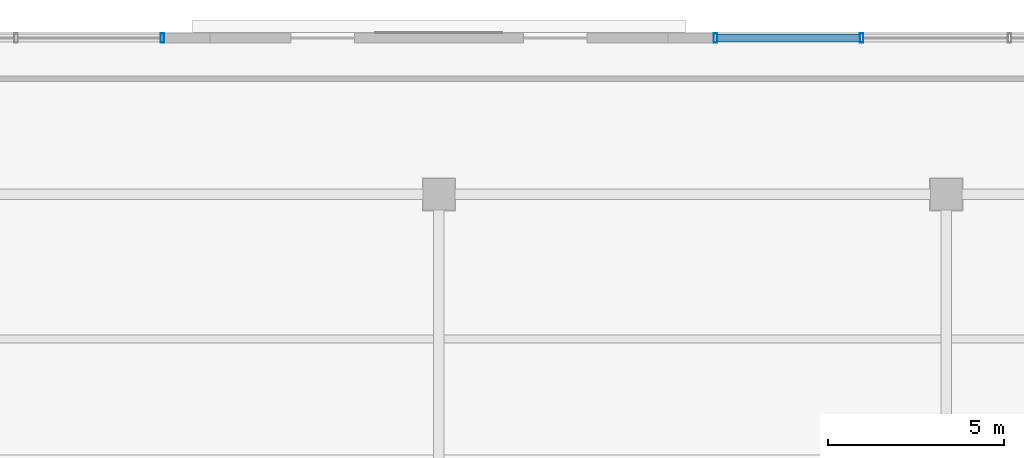
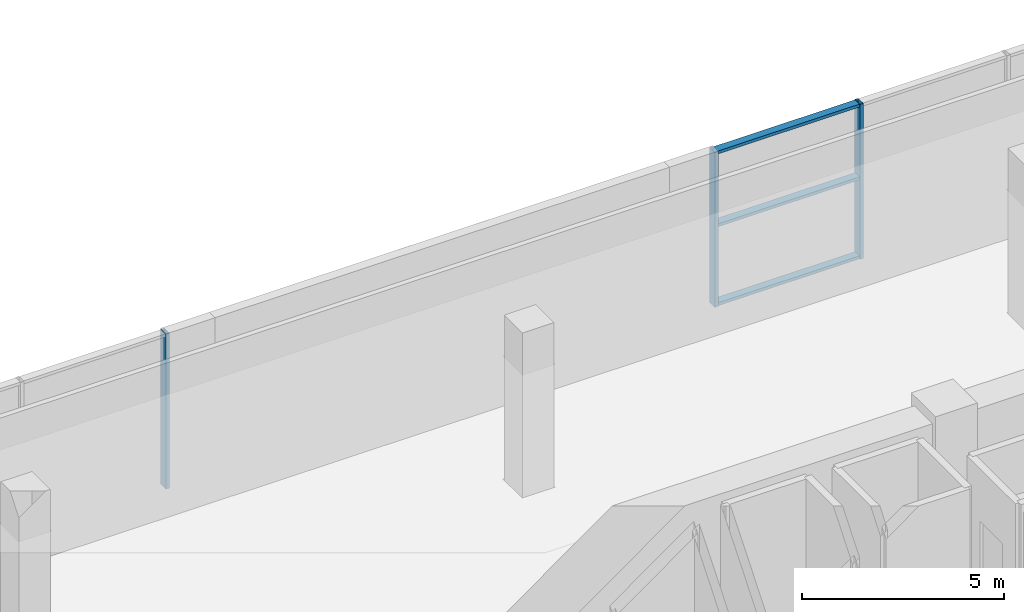
# One storey, part 10 of 27: 6 members, 2 elements without a shape of their own.
"""IFC4 building model written with IfcOpenShell, lengths in metres."""

from ifc_helpers import new_model, si_unit, direction, frame, origin, origin_2d, place, context, subcontext, project, spatial, hollow_rectangle, extrude, source, transform, mapped, material, layer, layer_set, material_profile, profile_set, type_object, element, aggregate, save


model = new_model("IFC4")

# Units and contexts
model_context = context("Model", 3, precision=1e-05, world=origin(), true_north=direction((0.0, 1.0)))
body_context = subcontext(model_context, "Body", "Model", "MODEL_VIEW")
ifc_project = project(units=[si_unit("LENGTHUNIT", "METRE"), si_unit("AREAUNIT", "SQUARE_METRE"), si_unit("VOLUMEUNIT", "CUBIC_METRE"), si_unit("PLANEANGLEUNIT", "RADIAN"), si_unit("MASSUNIT", "GRAM", prefix="KILO")], contexts=[model_context])

# Site, building, storey
site_placement = place(None, origin())
site = spatial("IfcSite", under=ifc_project, at=site_placement, CompositionType="ELEMENT")
building_placement = place(site_placement, origin())
building = spatial("IfcBuilding", under=site, at=building_placement, Name="Zarnakvel Exchange Tower", CompositionType="ELEMENT")
storey_placement = place(building_placement, origin())
storey = spatial("IfcBuildingStorey", under=building, at=storey_placement, Name="L00", CompositionType="ELEMENT", Elevation=0.0)

# Curtain wall, member
ifc_material = material(Name="Architectural Bronze Anodised Aluminium", Category="aluminium")
ifc_layer = layer(ifc_material, 0.260009765625)
ifc_layer_set = layer_set([ifc_layer], Name="Architectural Bronze Anodised Aluminium")
curtain_wall_type = type_object("IfcCurtainWallType", Name="CW-01", PredefinedType="NOTDEFINED", material=ifc_layer_set)
curtain_wall_1_placement = place(storey_placement, origin())
curtain_wall_1 = element("IfcCurtainWall", 1, at=curtain_wall_1_placement, inside=storey, type_object=curtain_wall_type, Name="L00 Curtain Wall CW-L00-N1 (CW-01)", PredefinedType="NOTDEFINED")
ifc_material_profile_1 = material_profile(ifc_material, hollow_rectangle(XDim=0.260009765625, YDim=0.10009765625, WallThickness=0.006103515625, at=origin_2d()))
ifc_profile_set_1 = profile_set([ifc_material_profile_1], Name="Architectural Bronze Anodised Aluminium")
member_type_1 = type_object("IfcMemberType", Name="CWM-01", PredefinedType="MULLION", material=ifc_profile_set_1)
shared_shape_1 = source(origin(), body_context, "Body", "SweptSolid", [
    extrude(hollow_rectangle(XDim=0.260009765625, YDim=0.10009765625, WallThickness=0.006103515625, at=origin_2d()), origin(), (0.0, 0.0, 1.0), 4.679931640625),
])
member_1_placement = place(storey_placement, frame((-7.85009765625, 26.0400390625, 0.0), z_axis=(0.0, 0.0, 1.0), x_axis=(0.0, 1.0, 0.0)))
member_1 = element("IfcMember", 2, at=member_1_placement, type_object=member_type_1, Name="CW-01 mullion 4", PredefinedType="MULLION", context=body_context, shape_type="MappedRepresentation", body=[
    mapped(shared_shape_1, transform((0.0, 0.0, 0.0), x_axis=(1.0, 0.0, 0.0), y_axis=(0.0, 1.0, 0.0), z_axis=(0.0, 0.0, 1.0), scale=1.0)),
])
aggregate(curtain_wall_1, [member_1])

# Curtain wall, members
curtain_wall_2_placement = place(storey_placement, origin())
curtain_wall_2 = element("IfcCurtainWall", 3, at=curtain_wall_2_placement, inside=storey, type_object=curtain_wall_type, Name="L00 Curtain Wall CW-L00-N2 (CW-01)", PredefinedType="NOTDEFINED")
member_2_placement = place(storey_placement, frame((7.85009765625, 26.0400390625, 0.0), z_axis=(0.0, 0.0, 1.0), x_axis=(0.0, 1.0, 0.0)))
member_2 = element("IfcMember", 4, at=member_2_placement, type_object=member_type_1, Name="CW-01 mullion 1", PredefinedType="MULLION", context=body_context, shape_type="MappedRepresentation", body=[
    mapped(shared_shape_1, transform((0.0, 0.0, 0.0), x_axis=(1.0, 0.0, 0.0), y_axis=(0.0, 1.0, 0.0), z_axis=(0.0, 0.0, 1.0), scale=1.0)),
])
member_3_placement = place(storey_placement, frame((12.0, 26.0400390625, 0.0), z_axis=(0.0, 0.0, 1.0), x_axis=(0.0, 1.0, 0.0)))
member_3 = element("IfcMember", 5, at=member_3_placement, type_object=member_type_1, Name="CW-01 mullion 2", PredefinedType="MULLION", context=body_context, shape_type="MappedRepresentation", body=[
    mapped(shared_shape_1, transform((0.0, 0.0, 0.0), x_axis=(1.0, 0.0, 0.0), y_axis=(0.0, 1.0, 0.0), z_axis=(0.0, 0.0, 1.0), scale=1.0)),
])
ifc_material_profile_2 = material_profile(ifc_material, hollow_rectangle(XDim=0.219970703125, YDim=0.090087890625, WallThickness=0.0048828125, at=origin_2d()))
ifc_profile_set_2 = profile_set([ifc_material_profile_2], Name="Architectural Bronze Anodised Aluminium")
member_type_2 = type_object("IfcMemberType", Name="CWT-01", PredefinedType="USERDEFINED", material=ifc_profile_set_2)
shared_shape_2 = source(origin(), body_context, "Body", "SweptSolid", [
    extrude(hollow_rectangle(XDim=0.219970703125, YDim=0.090087890625, WallThickness=0.0048828125, at=origin_2d()), origin(), (0.0, 0.0, 1.0), 4.050048828125),
])
member_4_placement = place(storey_placement, frame((7.89990234375, 26.0400390625, 0.044921875), z_axis=(1.0, 0.0, 0.0), x_axis=(0.0, 1.0, 0.0)))
member_4 = element("IfcMember", 6, at=member_4_placement, type_object=member_type_2, Name="CW-01 transom 1.1", ObjectType="TRANSOM", PredefinedType="USERDEFINED", context=body_context, shape_type="MappedRepresentation", body=[
    mapped(shared_shape_2, transform((0.0, 0.0, 0.0), x_axis=(1.0, 0.0, 0.0), y_axis=(0.0, 1.0, 0.0), z_axis=(0.0, 0.0, 1.0), scale=1.0)),
])
member_5_placement = place(storey_placement, frame((7.89990234375, 26.0400390625, 2.43359375), z_axis=(1.0, 0.0, 0.0), x_axis=(0.0, 1.0, 0.0)))
member_5 = element("IfcMember", 7, at=member_5_placement, type_object=member_type_2, Name="CW-01 transom 1.2", ObjectType="TRANSOM", PredefinedType="USERDEFINED", context=body_context, shape_type="MappedRepresentation", body=[
    mapped(shared_shape_2, transform((0.0, 0.0, 0.0), x_axis=(1.0, 0.0, 0.0), y_axis=(0.0, 1.0, 0.0), z_axis=(0.0, 0.0, 1.0), scale=1.0)),
])
member_6_placement = place(storey_placement, frame((7.89990234375, 26.0400390625, 4.635009765625), z_axis=(1.0, 0.0, 0.0), x_axis=(0.0, 1.0, 0.0)))
member_6 = element("IfcMember", 8, at=member_6_placement, type_object=member_type_2, Name="CW-01 transom 1.3", ObjectType="TRANSOM", PredefinedType="USERDEFINED", context=body_context, shape_type="MappedRepresentation", body=[
    mapped(shared_shape_2, transform((0.0, 0.0, 0.0), x_axis=(1.0, 0.0, 0.0), y_axis=(0.0, 1.0, 0.0), z_axis=(0.0, 0.0, 1.0), scale=1.0)),
])
aggregate(curtain_wall_2, [member_2, member_3, member_4, member_5, member_6])

save(model, "model.ifc")
